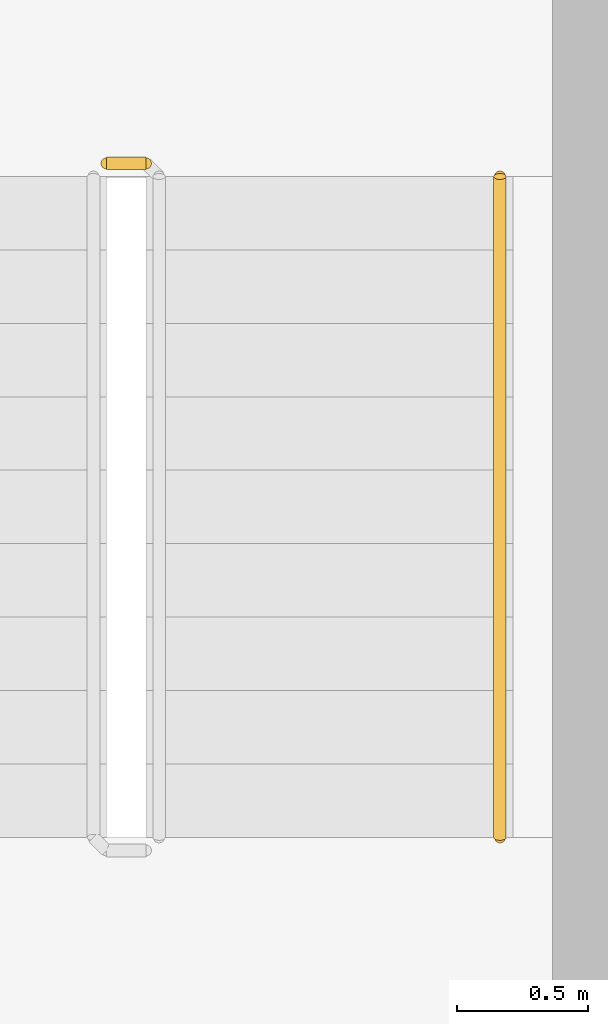
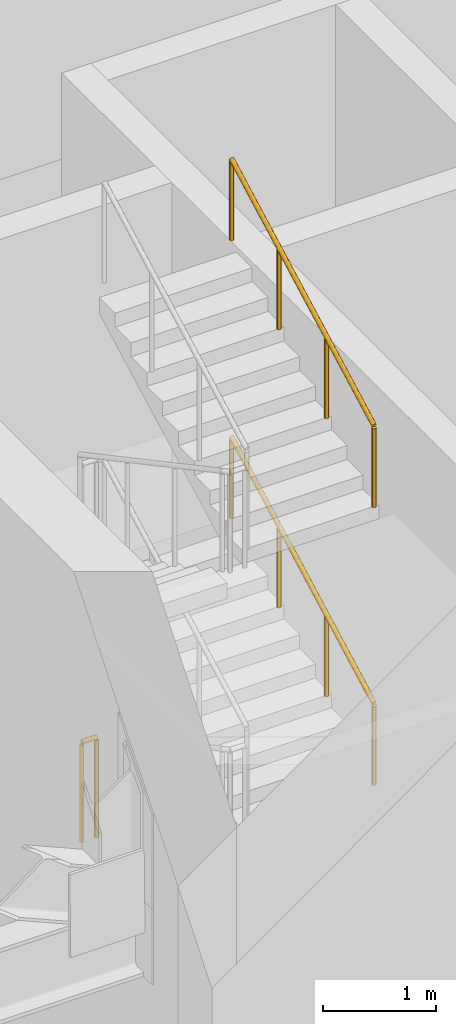
# One storey, part 21 of 26: 3 railings.
"""IFC4 building model written with IfcOpenShell, lengths in metres."""

from ifc_helpers import new_model, si_unit, direction, frame, origin, origin_2d, place, context, subcontext, project, spatial, circle, extrude, material, type_object, element, save


model = new_model("IFC4")

# Units and contexts
model_context = context("Model", 3, precision=1e-05, world=origin(), true_north=direction((0.0, 1.0)))
body_context = subcontext(model_context, "Body", "Model", "MODEL_VIEW")
ifc_project = project(units=[si_unit("LENGTHUNIT", "METRE"), si_unit("AREAUNIT", "SQUARE_METRE"), si_unit("VOLUMEUNIT", "CUBIC_METRE"), si_unit("PLANEANGLEUNIT", "RADIAN"), si_unit("MASSUNIT", "GRAM", prefix="KILO")], contexts=[model_context])

# Site, building, storey
site_placement = place(None, origin())
site = spatial("IfcSite", under=ifc_project, at=site_placement, CompositionType="ELEMENT")
building_placement = place(site_placement, origin())
building = spatial("IfcBuilding", under=site, at=building_placement, Name="Mopane Tessera Tower", CompositionType="ELEMENT")
storey_placement = place(building_placement, frame((0.0, 0.0, 205.0)))
storey = spatial("IfcBuildingStorey", under=building, at=storey_placement, Name="L43", CompositionType="ELEMENT", Elevation=205.0)

# Railings
ifc_material_1 = material(Name="Powder-coated steel balustrade", Category="steel")
railing_type_1 = type_object("IfcRailingType", Name="Escape stair guard 1100 mm", PredefinedType="GUARDRAIL", material=ifc_material_1)
railing_placement = place(storey_placement, frame((-12.35009765625, -1.35009765625, 0.0)))
element("IfcRailing", 1, at=railing_placement, inside=storey, type_object=railing_type_1, Name="L43 ST1 stair guard 5", PredefinedType="GUARDRAIL", context=body_context, shape_type="SweptSolid", body=[
    extrude(circle(Radius=0.02392578125, at=origin_2d()), frame((0.0, 0.0, 1.076171875), z_axis=(1.0, 0.0, 0.0), x_axis=(0.0, 1.0, 0.0)), (0.0, 0.0, 1.0), 0.150146484375),
    extrude(circle(Radius=0.02099609375, at=origin_2d()), origin(), (0.0, 0.0, 1.0), 1.052001953125),
    extrude(circle(Radius=0.02099609375, at=origin_2d()), frame((0.150146484375, 0.0, 0.0)), (0.0, 0.0, 1.0), 1.052001953125),
])
ifc_material_2 = material(Name="Powder-coated steel balustrade", Category="steel")
railing_type_2 = type_object("IfcRailingType", Name="Escape stair handrail 900 mm", PredefinedType="HANDRAIL", material=ifc_material_2)
for number, where, name in (
    (2, (-10.85009765625, -3.919921875, 1.64990234375), "L43 ST1 stair handrail 2"),
    (3, (-10.85009765625, -3.919921875, 4.64990234375), "L43 ST1 stair handrail 4"),
):
    element("IfcRailing", number, at=place(storey_placement, frame(where)), inside=storey, type_object=railing_type_2, Name=name, PredefinedType="HANDRAIL", context=body_context, shape_type="SweptSolid", body=[
        extrude(circle(Radius=0.02392578125, at=origin_2d()), frame((0.0, 0.0, 0.8759765625), z_axis=(0.0, 0.881467274426, 0.472245110209), x_axis=(-1.0, 0.0, 0.0)), (0.0, 0.0, 1.0), 2.85888671875),
        extrude(circle(Radius=0.02099609375, at=origin_2d()), origin(), (0.0, 0.0, 1.0), 0.851806640625),
        extrude(circle(Radius=0.02099609375, at=origin_2d()), frame((0.0, 0.840087890625, 0.449951171875)), (0.0, 0.0, 1.0), 0.851806640625),
        extrude(circle(Radius=0.02099609375, at=origin_2d()), frame((0.0, 1.679931640625, 0.900146484375)), (0.0, 0.0, 1.0), 0.851806640625),
        extrude(circle(Radius=0.02099609375, at=origin_2d()), frame((0.0, 2.52001953125, 1.35009765625)), (0.0, 0.0, 1.0), 0.851806640625),
    ])

save(model, "model.ifc")
